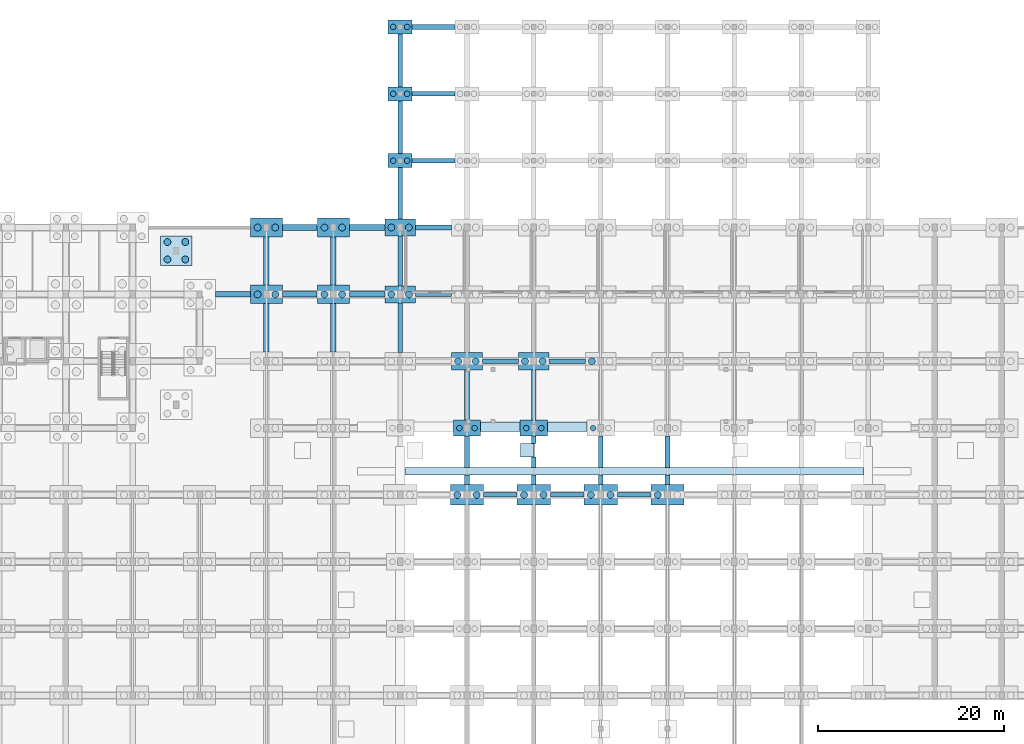
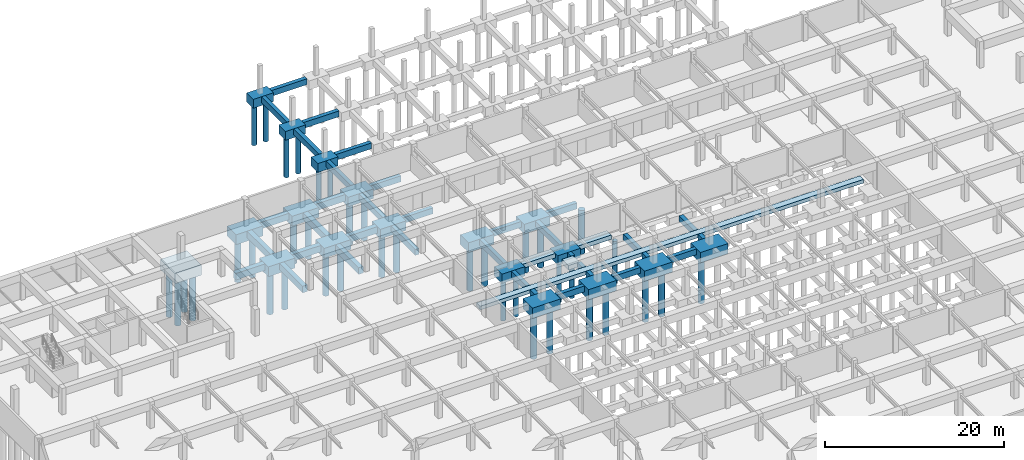
# One storey, part 9 of 36: 57 footings, 39 piles.
"""IFC4 building model written with IfcOpenShell, lengths in metres."""

from ifc_helpers import new_model, si_unit, direction, frame, origin, origin_2d, place, context, subcontext, project, spatial, rectangle, circle, extrude, material, material_profile, profile_set, type_object, element, save


model = new_model("IFC4")

# Units and contexts
model_context = context("Model", 3, precision=1e-05, world=origin(), true_north=direction((0.0, 1.0)))
body_context = subcontext(model_context, "Body", "Model", "MODEL_VIEW")
ifc_project = project(units=[si_unit("LENGTHUNIT", "METRE"), si_unit("AREAUNIT", "SQUARE_METRE"), si_unit("VOLUMEUNIT", "CUBIC_METRE"), si_unit("PLANEANGLEUNIT", "RADIAN"), si_unit("MASSUNIT", "GRAM", prefix="KILO")], contexts=[model_context])

# Site, building, storey
site_placement = place(None, origin())
site = spatial("IfcSite", under=ifc_project, at=site_placement, CompositionType="ELEMENT")
building_placement = place(site_placement, origin())
building = spatial("IfcBuilding", under=site, at=building_placement, Name="Ochrevale Crest", CompositionType="ELEMENT")
storey_placement = place(building_placement, frame((0.0, 0.0, -3.60009765625)))
storey = spatial("IfcBuildingStorey", under=building, at=storey_placement, Name="B1", CompositionType="ELEMENT", Elevation=-3.60009765625)

# Footings
ifc_material = material(Name="Concrete C40/50", Category="concrete")
footing_type_1 = type_object("IfcFootingType", Name="CAP-PC07", PredefinedType="PILE_CAP", material=ifc_material)
footing_1_placement = place(storey_placement, frame((33.5, 91.10009765625, -1.659912109375), z_axis=(0.0, 0.0, 1.0), x_axis=(1.0, 0.0, 0.0)))
element("IfcFooting", 1, at=footing_1_placement, inside=storey, type_object=footing_type_1, Name="Pile cap PC07-064", PredefinedType="PILE_CAP", context=body_context, shape_type="SweptSolid", body=[
    extrude(rectangle(XDim=3.39990234375, YDim=3.199951171875, at=origin_2d()), origin(), (0.0, 0.0, 1.0), 1.39990234375),
])
footing_type_2 = type_object("IfcFootingType", Name="CAP-PC11", PredefinedType="PILE_CAP", material=ifc_material)
for number, where, z_axis, x_axis, name in (
    (2, (64.800048828125, 64.800048828125, -1.659912109375), (0.0, 0.0, 1.0), (1.0, 0.0, 0.0), "Pile cap PC11-122"),
    (3, (72.0, 64.800048828125, -1.659912109375), (0.0, 0.0, 1.0), (1.0, 0.0, 0.0), "Pile cap PC11-138"),
    (4, (79.199951171875, 64.800048828125, -1.659912109375), (0.0, 0.0, 1.0), (1.0, 0.0, 0.0), "Pile cap PC11-155"),
    (5, (86.39990234375, 64.800048828125, -1.659912109375), (0.0, 0.0, 1.0), (1.0, 0.0, 0.0), "Pile cap PC11-172"),
):
    element("IfcFooting", number, at=place(storey_placement, frame(where, z_axis=z_axis, x_axis=x_axis)), inside=storey, type_object=footing_type_2, Name=name, PredefinedType="PILE_CAP", context=body_context, shape_type="SweptSolid", body=[
        extrude(rectangle(XDim=3.60009765625, YDim=2.199951171875, at=origin_2d()), origin(), (0.0, 0.0, 1.0), 1.39990234375),
    ])
footing_type_3 = type_object("IfcFootingType", Name="CAP-PC12", PredefinedType="PILE_CAP", material=ifc_material)
for number, where, z_axis, x_axis, name in (
    (6, (43.199951171875, 86.39990234375, -1.60986328125), (0.0, 0.0, 1.0), (1.0, 0.0, 0.0), "Pile cap PC12-083"),
    (7, (43.199951171875, 93.60009765625, -1.60986328125), (0.0, 0.0, 1.0), (1.0, 0.0, 0.0), "Pile cap PC12-084"),
    (8, (50.39990234375, 86.39990234375, -1.60986328125), (0.0, 0.0, 1.0), (1.0, 0.0, 0.0), "Pile cap PC12-096"),
    (9, (50.39990234375, 93.60009765625, -1.60986328125), (0.0, 0.0, 1.0), (1.0, 0.0, 0.0), "Pile cap PC12-097"),
):
    element("IfcFooting", number, at=place(storey_placement, frame(where, z_axis=z_axis, x_axis=x_axis)), inside=storey, type_object=footing_type_3, Name=name, PredefinedType="PILE_CAP", context=body_context, shape_type="SweptSolid", body=[
        extrude(rectangle(XDim=3.449951171875, YDim=2.0, at=origin_2d()), origin(), (0.0, 0.0, 1.0), 1.35009765625),
    ])
footing_type_4 = type_object("IfcFootingType", Name="CAP-PC13", PredefinedType="PILE_CAP", material=ifc_material)
for number, where, z_axis, x_axis, name in (
    (10, (57.60009765625, 86.39990234375, -1.56005859375), (0.0, 0.0, 1.0), (1.0, 0.0, 0.0), "Pile cap PC13-109"),
    (11, (57.60009765625, 93.60009765625, -1.56005859375), (0.0, 0.0, 1.0), (1.0, 0.0, 0.0), "Pile cap PC13-110"),
    (12, (64.800048828125, 79.199951171875, -1.56005859375), (0.0, 0.0, 1.0), (1.0, 0.0, 0.0), "Pile cap PC13-124"),
    (13, (72.0, 79.199951171875, -1.56005859375), (0.0, 0.0, 1.0), (1.0, 0.0, 0.0), "Pile cap PC13-140"),
):
    element("IfcFooting", number, at=place(storey_placement, frame(where, z_axis=z_axis, x_axis=x_axis)), inside=storey, type_object=footing_type_4, Name=name, PredefinedType="PILE_CAP", context=body_context, shape_type="SweptSolid", body=[
        extrude(rectangle(XDim=3.300048828125, YDim=1.85009765625, at=origin_2d()), origin(), (0.0, 0.0, 1.0), 1.300048828125),
    ])
footing_type_5 = type_object("IfcFootingType", Name="CAP-PC14", PredefinedType="PILE_CAP", material=ifc_material)
for number, where, z_axis, x_axis, name in (
    (14, (64.800048828125, 72.0, -1.510009765625), (0.0, 0.0, 1.0), (1.0, 0.0, 0.0), "Pile cap PC14-123"),
    (15, (72.0, 72.0, -1.510009765625), (0.0, 0.0, 1.0), (1.0, 0.0, 0.0), "Pile cap PC14-139"),
):
    element("IfcFooting", number, at=place(storey_placement, frame(where, z_axis=z_axis, x_axis=x_axis)), inside=storey, type_object=footing_type_5, Name=name, PredefinedType="PILE_CAP", context=body_context, shape_type="SweptSolid", body=[
        extrude(rectangle(XDim=2.949951171875, YDim=1.75, at=origin_2d()), origin(), (0.0, 0.0, 1.0), 1.25),
    ])
footing_type_6 = type_object("IfcFootingType", Name="CAP-PC15", PredefinedType="PILE_CAP", material=ifc_material)
for number, where, z_axis, x_axis, name in (
    (16, (57.60009765625, 100.800048828125, -1.4599609375), (0.0, 0.0, 1.0), (1.0, 0.0, 0.0), "Pile cap PC15-111"),
    (17, (57.60009765625, 108.0, -1.4599609375), (0.0, 0.0, 1.0), (1.0, 0.0, 0.0), "Pile cap PC15-112"),
    (18, (57.60009765625, 115.199951171875, -1.4599609375), (0.0, 0.0, 1.0), (1.0, 0.0, 0.0), "Pile cap PC15-113"),
):
    element("IfcFooting", number, at=place(storey_placement, frame(where, z_axis=z_axis, x_axis=x_axis)), inside=storey, type_object=footing_type_6, Name=name, PredefinedType="PILE_CAP", context=body_context, shape_type="SweptSolid", body=[
        extrude(rectangle(XDim=2.60009765625, YDim=1.5, at=origin_2d()), origin(), (0.0, 0.0, 1.0), 1.199951171875),
    ])
ifc_material_profile_1 = material_profile(ifc_material, rectangle(XDim=0.5, YDim=0.800048828125, at=origin_2d()), Name="GB 500x800")
ifc_profile_set_1 = profile_set([ifc_material_profile_1], Name="Concrete C40/50")
footing_type_7 = type_object("IfcFootingType", Name="FTG-GB500x800", PredefinedType="FOOTING_BEAM", material=ifc_profile_set_1)
footing_2_placement = place(storey_placement, frame((57.60009765625, 80.126953125, -0.659912109375), z_axis=(0.0, 1.0, 0.0), x_axis=(-1.0, 0.0, 0.0)))
element("IfcFooting", 19, at=footing_2_placement, inside=storey, type_object=footing_type_7, Name="Foundation tie beam GB2-184", PredefinedType="FOOTING_BEAM", context=body_context, shape_type="SweptSolid", body=[
    extrude(rectangle(XDim=0.5, YDim=0.800048828125, at=origin_2d()), origin(), (0.0, 0.0, 1.0), 5.345947265625),
])
footing_3_placement = place(storey_placement, frame((59.251953125, 86.39990234375, -0.659912109375), z_axis=(1.0, 0.0, 0.0), x_axis=(0.0, 1.0, 0.0)))
element("IfcFooting", 20, at=footing_3_placement, inside=storey, type_object=footing_type_7, Name="Foundation tie beam GB2-185", PredefinedType="FOOTING_BEAM", context=body_context, shape_type="SweptSolid", body=[
    extrude(rectangle(XDim=0.5, YDim=0.800048828125, at=origin_2d()), origin(), (0.0, 0.0, 1.0), 3.89599609375),
])
footing_4_placement = place(storey_placement, frame((57.60009765625, 87.326904296875, -0.659912109375), z_axis=(0.0, 1.0, 0.0), x_axis=(-1.0, 0.0, 0.0)))
element("IfcFooting", 21, at=footing_4_placement, inside=storey, type_object=footing_type_7, Name="Foundation tie beam GB2-186", PredefinedType="FOOTING_BEAM", context=body_context, shape_type="SweptSolid", body=[
    extrude(rectangle(XDim=0.5, YDim=0.800048828125, at=origin_2d()), origin(), (0.0, 0.0, 1.0), 5.34619140625),
])
footing_5_placement = place(storey_placement, frame((59.251953125, 93.60009765625, -0.659912109375), z_axis=(1.0, 0.0, 0.0), x_axis=(0.0, 1.0, 0.0)))
element("IfcFooting", 22, at=footing_5_placement, inside=storey, type_object=footing_type_7, Name="Foundation tie beam GB2-187", PredefinedType="FOOTING_BEAM", context=body_context, shape_type="SweptSolid", body=[
    extrude(rectangle(XDim=0.5, YDim=0.800048828125, at=origin_2d()), origin(), (0.0, 0.0, 1.0), 3.89599609375),
])
footing_6_placement = place(storey_placement, frame((57.60009765625, 94.527099609375, -0.659912109375), z_axis=(0.0, 1.0, 0.0), x_axis=(-1.0, 0.0, 0.0)))
element("IfcFooting", 23, at=footing_6_placement, inside=storey, type_object=footing_type_7, Name="Foundation tie beam GB2-188", PredefinedType="FOOTING_BEAM", context=body_context, shape_type="SweptSolid", body=[
    extrude(rectangle(XDim=0.5, YDim=0.800048828125, at=origin_2d()), origin(), (0.0, 0.0, 1.0), 5.52099609375),
])
footing_7_placement = place(storey_placement, frame((58.902099609375, 100.800048828125, -0.659912109375), z_axis=(1.0, 0.0, 0.0), x_axis=(0.0, 1.0, 0.0)))
element("IfcFooting", 24, at=footing_7_placement, inside=storey, type_object=footing_type_7, Name="Foundation tie beam GB2-189", PredefinedType="FOOTING_BEAM", context=body_context, shape_type="SweptSolid", body=[
    extrude(rectangle(XDim=0.5, YDim=0.800048828125, at=origin_2d()), origin(), (0.0, 0.0, 1.0), 4.595947265625),
])
footing_8_placement = place(storey_placement, frame((57.60009765625, 101.552001953125, -0.659912109375), z_axis=(0.0, 1.0, 0.0), x_axis=(-1.0, 0.0, 0.0)))
element("IfcFooting", 25, at=footing_8_placement, inside=storey, type_object=footing_type_7, Name="Foundation tie beam GB2-190", PredefinedType="FOOTING_BEAM", context=body_context, shape_type="SweptSolid", body=[
    extrude(rectangle(XDim=0.5, YDim=0.800048828125, at=origin_2d()), origin(), (0.0, 0.0, 1.0), 5.696044921875),
])
footing_9_placement = place(storey_placement, frame((58.902099609375, 108.0, -0.659912109375), z_axis=(1.0, 0.0, 0.0), x_axis=(0.0, 1.0, 0.0)))
element("IfcFooting", 26, at=footing_9_placement, inside=storey, type_object=footing_type_7, Name="Foundation tie beam GB2-191", PredefinedType="FOOTING_BEAM", context=body_context, shape_type="SweptSolid", body=[
    extrude(rectangle(XDim=0.5, YDim=0.800048828125, at=origin_2d()), origin(), (0.0, 0.0, 1.0), 4.595947265625),
])
footing_10_placement = place(storey_placement, frame((57.60009765625, 108.751953125, -0.659912109375), z_axis=(0.0, 1.0, 0.0), x_axis=(-1.0, 0.0, 0.0)))
element("IfcFooting", 27, at=footing_10_placement, inside=storey, type_object=footing_type_7, Name="Foundation tie beam GB2-192", PredefinedType="FOOTING_BEAM", context=body_context, shape_type="SweptSolid", body=[
    extrude(rectangle(XDim=0.5, YDim=0.800048828125, at=origin_2d()), origin(), (0.0, 0.0, 1.0), 5.696044921875),
])
footing_11_placement = place(storey_placement, frame((58.902099609375, 115.199951171875, -0.659912109375), z_axis=(1.0, 0.0, 0.0), x_axis=(0.0, 1.0, 0.0)))
element("IfcFooting", 28, at=footing_11_placement, inside=storey, type_object=footing_type_7, Name="Foundation tie beam GB2-193", PredefinedType="FOOTING_BEAM", context=body_context, shape_type="SweptSolid", body=[
    extrude(rectangle(XDim=0.5, YDim=0.800048828125, at=origin_2d()), origin(), (0.0, 0.0, 1.0), 4.595947265625),
])
footing_12_placement = place(storey_placement, frame((66.60205078125, 64.800048828125, -0.659912109375), z_axis=(1.0, 0.0, 0.0), x_axis=(0.0, 1.0, 0.0)))
element("IfcFooting", 29, at=footing_12_placement, inside=storey, type_object=footing_type_7, Name="Foundation tie beam GB2-210", PredefinedType="FOOTING_BEAM", context=body_context, shape_type="SweptSolid", body=[
    extrude(rectangle(XDim=0.5, YDim=0.800048828125, at=origin_2d()), origin(), (0.0, 0.0, 1.0), 3.595947265625),
])
footing_13_placement = place(storey_placement, frame((64.800048828125, 65.902099609375, -0.659912109375), z_axis=(0.0, 1.0, 0.0), x_axis=(-1.0, 0.0, 0.0)))
element("IfcFooting", 30, at=footing_13_placement, inside=storey, type_object=footing_type_7, Name="Foundation tie beam GB2-211 segment 1", PredefinedType="FOOTING_BEAM", context=body_context, shape_type="SweptSolid", body=[
    extrude(rectangle(XDim=0.5, YDim=0.800048828125, at=origin_2d()), origin(), (0.0, 0.0, 1.0), 1.0458984375),
])
footing_14_placement = place(storey_placement, frame((64.800048828125, 67.751953125, -0.659912109375), z_axis=(0.0, 1.0, 0.0), x_axis=(-1.0, 0.0, 0.0)))
element("IfcFooting", 31, at=footing_14_placement, inside=storey, type_object=footing_type_7, Name="Foundation tie beam GB2-211 segment 2", PredefinedType="FOOTING_BEAM", context=body_context, shape_type="SweptSolid", body=[
    extrude(rectangle(XDim=0.5, YDim=0.800048828125, at=origin_2d()), origin(), (0.0, 0.0, 1.0), 3.37109375),
])
footing_15_placement = place(storey_placement, frame((64.800048828125, 72.876953125, -0.659912109375), z_axis=(0.0, 1.0, 0.0), x_axis=(-1.0, 0.0, 0.0)))
element("IfcFooting", 32, at=footing_15_placement, inside=storey, type_object=footing_type_7, Name="Foundation tie beam GB2-213", PredefinedType="FOOTING_BEAM", context=body_context, shape_type="SweptSolid", body=[
    extrude(rectangle(XDim=0.5, YDim=0.800048828125, at=origin_2d()), origin(), (0.0, 0.0, 1.0), 5.39599609375),
])
footing_16_placement = place(storey_placement, frame((66.451904296875, 79.199951171875, -0.659912109375), z_axis=(1.0, 0.0, 0.0), x_axis=(0.0, 1.0, 0.0)))
element("IfcFooting", 33, at=footing_16_placement, inside=storey, type_object=footing_type_7, Name="Foundation tie beam GB2-214", PredefinedType="FOOTING_BEAM", context=body_context, shape_type="SweptSolid", body=[
    extrude(rectangle(XDim=0.5, YDim=0.800048828125, at=origin_2d()), origin(), (0.0, 0.0, 1.0), 3.89599609375),
])
footing_17_placement = place(storey_placement, frame((73.802001953125, 64.800048828125, -0.659912109375), z_axis=(1.0, 0.0, 0.0), x_axis=(0.0, 1.0, 0.0)))
element("IfcFooting", 34, at=footing_17_placement, inside=storey, type_object=footing_type_7, Name="Foundation tie beam GB2-241", PredefinedType="FOOTING_BEAM", context=body_context, shape_type="SweptSolid", body=[
    extrude(rectangle(XDim=0.5, YDim=0.800048828125, at=origin_2d()), origin(), (0.0, 0.0, 1.0), 3.595947265625),
])
footing_18_placement = place(storey_placement, frame((72.0, 65.902099609375, -0.659912109375), z_axis=(0.0, 1.0, 0.0), x_axis=(-1.0, 0.0, 0.0)))
element("IfcFooting", 35, at=footing_18_placement, inside=storey, type_object=footing_type_7, Name="Foundation tie beam GB2-242 segment 1", PredefinedType="FOOTING_BEAM", context=body_context, shape_type="SweptSolid", body=[
    extrude(rectangle(XDim=0.5, YDim=0.800048828125, at=origin_2d()), origin(), (0.0, 0.0, 1.0), 1.0458984375),
])
footing_19_placement = place(storey_placement, frame((72.0, 67.751953125, -0.659912109375), z_axis=(0.0, 1.0, 0.0), x_axis=(-1.0, 0.0, 0.0)))
element("IfcFooting", 36, at=footing_19_placement, inside=storey, type_object=footing_type_7, Name="Foundation tie beam GB2-242 segment 2", PredefinedType="FOOTING_BEAM", context=body_context, shape_type="SweptSolid", body=[
    extrude(rectangle(XDim=0.5, YDim=0.800048828125, at=origin_2d()), origin(), (0.0, 0.0, 1.0), 1.12109375),
])
footing_20_placement = place(storey_placement, frame((72.0, 70.326904296875, -0.659912109375), z_axis=(0.0, 1.0, 0.0), x_axis=(-1.0, 0.0, 0.0)))
element("IfcFooting", 37, at=footing_20_placement, inside=storey, type_object=footing_type_7, Name="Foundation tie beam GB2-242 segment 3", PredefinedType="FOOTING_BEAM", context=body_context, shape_type="SweptSolid", body=[
    extrude(rectangle(XDim=0.5, YDim=0.800048828125, at=origin_2d()), origin(), (0.0, 0.0, 1.0), 0.796142578125),
])
footing_21_placement = place(storey_placement, frame((72.0, 72.876953125, -0.659912109375), z_axis=(0.0, 1.0, 0.0), x_axis=(-1.0, 0.0, 0.0)))
element("IfcFooting", 38, at=footing_21_placement, inside=storey, type_object=footing_type_7, Name="Foundation tie beam GB2-244", PredefinedType="FOOTING_BEAM", context=body_context, shape_type="SweptSolid", body=[
    extrude(rectangle(XDim=0.5, YDim=0.800048828125, at=origin_2d()), origin(), (0.0, 0.0, 1.0), 5.39599609375),
])
footing_22_placement = place(storey_placement, frame((73.652099609375, 79.199951171875, -0.659912109375), z_axis=(1.0, 0.0, 0.0), x_axis=(0.0, 1.0, 0.0)))
element("IfcFooting", 39, at=footing_22_placement, inside=storey, type_object=footing_type_7, Name="Foundation tie beam GB2-245", PredefinedType="FOOTING_BEAM", context=body_context, shape_type="SweptSolid", body=[
    extrude(rectangle(XDim=0.5, YDim=0.800048828125, at=origin_2d()), origin(), (0.0, 0.0, 1.0), 3.89599609375),
])
footing_23_placement = place(storey_placement, frame((81.001953125, 64.800048828125, -0.659912109375), z_axis=(1.0, 0.0, 0.0), x_axis=(0.0, 1.0, 0.0)))
element("IfcFooting", 40, at=footing_23_placement, inside=storey, type_object=footing_type_7, Name="Foundation tie beam GB2-274", PredefinedType="FOOTING_BEAM", context=body_context, shape_type="SweptSolid", body=[
    extrude(rectangle(XDim=0.5, YDim=0.800048828125, at=origin_2d()), origin(), (0.0, 0.0, 1.0), 3.595947265625),
])
footing_24_placement = place(storey_placement, frame((79.199951171875, 65.902099609375, -0.659912109375), z_axis=(0.0, 1.0, 0.0), x_axis=(-1.0, 0.0, 0.0)))
element("IfcFooting", 41, at=footing_24_placement, inside=storey, type_object=footing_type_7, Name="Foundation tie beam GB2-275 segment 1", PredefinedType="FOOTING_BEAM", context=body_context, shape_type="SweptSolid", body=[
    extrude(rectangle(XDim=0.5, YDim=0.800048828125, at=origin_2d()), origin(), (0.0, 0.0, 1.0), 1.0458984375),
])
footing_25_placement = place(storey_placement, frame((79.199951171875, 67.751953125, -0.659912109375), z_axis=(0.0, 1.0, 0.0), x_axis=(-1.0, 0.0, 0.0)))
element("IfcFooting", 42, at=footing_25_placement, inside=storey, type_object=footing_type_7, Name="Foundation tie beam GB2-275 segment 2", PredefinedType="FOOTING_BEAM", context=body_context, shape_type="SweptSolid", body=[
    extrude(rectangle(XDim=0.5, YDim=0.800048828125, at=origin_2d()), origin(), (0.0, 0.0, 1.0), 3.37109375),
])
footing_26_placement = place(storey_placement, frame((86.39990234375, 65.902099609375, -0.659912109375), z_axis=(0.0, 1.0, 0.0), x_axis=(-1.0, 0.0, 0.0)))
element("IfcFooting", 43, at=footing_26_placement, inside=storey, type_object=footing_type_7, Name="Foundation tie beam GB2-307 segment 1", PredefinedType="FOOTING_BEAM", context=body_context, shape_type="SweptSolid", body=[
    extrude(rectangle(XDim=0.5, YDim=0.800048828125, at=origin_2d()), origin(), (0.0, 0.0, 1.0), 1.0458984375),
])
footing_27_placement = place(storey_placement, frame((86.39990234375, 67.751953125, -0.659912109375), z_axis=(0.0, 1.0, 0.0), x_axis=(-1.0, 0.0, 0.0)))
element("IfcFooting", 44, at=footing_27_placement, inside=storey, type_object=footing_type_7, Name="Foundation tie beam GB2-307 segment 2", PredefinedType="FOOTING_BEAM", context=body_context, shape_type="SweptSolid", body=[
    extrude(rectangle(XDim=0.5, YDim=0.800048828125, at=origin_2d()), origin(), (0.0, 0.0, 1.0), 3.37109375),
])
ifc_material_profile_2 = material_profile(ifc_material, rectangle(XDim=0.60009765625, YDim=0.89990234375, at=origin_2d()), Name="GB 600x900")
ifc_profile_set_2 = profile_set([ifc_material_profile_2], Name="Concrete C40/50")
footing_type_8 = type_object("IfcFootingType", Name="FTG-GB600x900", PredefinedType="FOOTING_BEAM", material=ifc_profile_set_2)
footing_28_placement = place(storey_placement, frame((37.701904296875, 86.39990234375, -0.7099609375), z_axis=(1.0, 0.0, 0.0), x_axis=(0.0, 1.0, 0.0)))
element("IfcFooting", 45, at=footing_28_placement, inside=storey, type_object=footing_type_8, Name="Foundation tie beam GB1-114", PredefinedType="FOOTING_BEAM", context=body_context, shape_type="SweptSolid", body=[
    extrude(rectangle(XDim=0.60009765625, YDim=0.89990234375, at=origin_2d()), origin(), (0.0, 0.0, 1.0), 3.77099609375),
])
footing_29_placement = place(storey_placement, frame((43.199951171875, 80.201904296875, -0.7099609375), z_axis=(0.0, 1.0, 0.0), x_axis=(-1.0, 0.0, 0.0)))
element("IfcFooting", 46, at=footing_29_placement, inside=storey, type_object=footing_type_8, Name="Foundation tie beam GB1-134", PredefinedType="FOOTING_BEAM", context=body_context, shape_type="SweptSolid", body=[
    extrude(rectangle(XDim=0.60009765625, YDim=0.89990234375, at=origin_2d()), origin(), (0.0, 0.0, 1.0), 5.196044921875),
])
footing_30_placement = place(storey_placement, frame((44.927001953125, 86.39990234375, -0.7099609375), z_axis=(1.0, 0.0, 0.0), x_axis=(0.0, 1.0, 0.0)))
element("IfcFooting", 47, at=footing_30_placement, inside=storey, type_object=footing_type_8, Name="Foundation tie beam GB1-135", PredefinedType="FOOTING_BEAM", context=body_context, shape_type="SweptSolid", body=[
    extrude(rectangle(XDim=0.60009765625, YDim=0.89990234375, at=origin_2d()), origin(), (0.0, 0.0, 1.0), 3.74609375),
])
footing_31_placement = place(storey_placement, frame((43.199951171875, 87.402099609375, -0.7099609375), z_axis=(0.0, 1.0, 0.0), x_axis=(-1.0, 0.0, 0.0)))
element("IfcFooting", 48, at=footing_31_placement, inside=storey, type_object=footing_type_8, Name="Foundation tie beam GB1-136", PredefinedType="FOOTING_BEAM", context=body_context, shape_type="SweptSolid", body=[
    extrude(rectangle(XDim=0.60009765625, YDim=0.89990234375, at=origin_2d()), origin(), (0.0, 0.0, 1.0), 5.19580078125),
])
footing_32_placement = place(storey_placement, frame((44.927001953125, 93.60009765625, -0.7099609375), z_axis=(1.0, 0.0, 0.0), x_axis=(0.0, 1.0, 0.0)))
element("IfcFooting", 49, at=footing_32_placement, inside=storey, type_object=footing_type_8, Name="Foundation tie beam GB1-137", PredefinedType="FOOTING_BEAM", context=body_context, shape_type="SweptSolid", body=[
    extrude(rectangle(XDim=0.60009765625, YDim=0.89990234375, at=origin_2d()), origin(), (0.0, 0.0, 1.0), 3.74609375),
])
footing_33_placement = place(storey_placement, frame((50.39990234375, 80.201904296875, -0.7099609375), z_axis=(0.0, 1.0, 0.0), x_axis=(-1.0, 0.0, 0.0)))
element("IfcFooting", 50, at=footing_33_placement, inside=storey, type_object=footing_type_8, Name="Foundation tie beam GB1-159", PredefinedType="FOOTING_BEAM", context=body_context, shape_type="SweptSolid", body=[
    extrude(rectangle(XDim=0.60009765625, YDim=0.89990234375, at=origin_2d()), origin(), (0.0, 0.0, 1.0), 5.196044921875),
])
footing_34_placement = place(storey_placement, frame((52.126953125, 86.39990234375, -0.7099609375), z_axis=(1.0, 0.0, 0.0), x_axis=(0.0, 1.0, 0.0)))
element("IfcFooting", 51, at=footing_34_placement, inside=storey, type_object=footing_type_8, Name="Foundation tie beam GB1-160", PredefinedType="FOOTING_BEAM", context=body_context, shape_type="SweptSolid", body=[
    extrude(rectangle(XDim=0.60009765625, YDim=0.89990234375, at=origin_2d()), origin(), (0.0, 0.0, 1.0), 3.821044921875),
])
footing_35_placement = place(storey_placement, frame((50.39990234375, 87.402099609375, -0.7099609375), z_axis=(0.0, 1.0, 0.0), x_axis=(-1.0, 0.0, 0.0)))
element("IfcFooting", 52, at=footing_35_placement, inside=storey, type_object=footing_type_8, Name="Foundation tie beam GB1-161", PredefinedType="FOOTING_BEAM", context=body_context, shape_type="SweptSolid", body=[
    extrude(rectangle(XDim=0.60009765625, YDim=0.89990234375, at=origin_2d()), origin(), (0.0, 0.0, 1.0), 5.19580078125),
])
footing_36_placement = place(storey_placement, frame((52.126953125, 93.60009765625, -0.7099609375), z_axis=(1.0, 0.0, 0.0), x_axis=(0.0, 1.0, 0.0)))
element("IfcFooting", 53, at=footing_36_placement, inside=storey, type_object=footing_type_8, Name="Foundation tie beam GB1-162", PredefinedType="FOOTING_BEAM", context=body_context, shape_type="SweptSolid", body=[
    extrude(rectangle(XDim=0.60009765625, YDim=0.89990234375, at=origin_2d()), origin(), (0.0, 0.0, 1.0), 3.821044921875),
])
footing_type_9 = type_object("IfcFootingType", Name="FTG-PAD04", PredefinedType="PAD_FOOTING", material=ifc_material)
footing_37_placement = place(storey_placement, frame((71.300048828125, 69.60009765625, -0.85986328125), z_axis=(0.0, 0.0, 1.0), x_axis=(1.0, 0.0, 0.0)))
element("IfcFooting", 54, at=footing_37_placement, inside=storey, type_object=footing_type_9, Name="Pad footing PF04 (71.3,69.6)", PredefinedType="PAD_FOOTING", context=body_context, shape_type="SweptSolid", body=[
    extrude(rectangle(XDim=1.449951171875, YDim=1.449951171875, at=origin_2d()), origin(), (0.0, 0.0, 1.0), 0.60009765625),
])
ifc_material_profile_3 = material_profile(ifc_material, rectangle(XDim=1.0, YDim=0.60009765625, at=origin_2d()), Name="SF 1000x600")
ifc_profile_set_3 = profile_set([ifc_material_profile_3], Name="Concrete C40/50")
footing_type_10 = type_object("IfcFootingType", Name="FTG-SF1000x600", PredefinedType="STRIP_FOOTING", material=ifc_profile_set_3)
for number, where, z_axis, x_axis, name in (
    (55, (66.277099609375, 72.14990234375, -0.559814453125), (1.0, 0.0, 0.0), (0.0, 1.0, 0.0), "Hillside Step 3 grounded strip footing segment 3"),
    (56, (73.47705078125, 72.14990234375, -0.559814453125), (1.0, 0.0, 0.0), (0.0, 1.0, 0.0), "Hillside Step 3 grounded strip footing segment 4"),
):
    element("IfcFooting", number, at=place(storey_placement, frame(where, z_axis=z_axis, x_axis=x_axis)), inside=storey, type_object=footing_type_10, Name=name, PredefinedType="STRIP_FOOTING", context=body_context, shape_type="SweptSolid", body=[
        extrude(rectangle(XDim=1.0, YDim=0.60009765625, at=origin_2d()), origin(), (0.0, 0.0, 1.0), 4.245849609375),
    ])
ifc_material_profile_4 = material_profile(ifc_material, rectangle(XDim=0.800048828125, YDim=0.5, at=origin_2d()), Name="SF 800x500")
ifc_profile_set_4 = profile_set([ifc_material_profile_4], Name="Concrete C40/50")
footing_type_11 = type_object("IfcFootingType", Name="FTG-SF800x500", PredefinedType="STRIP_FOOTING", material=ifc_profile_set_4)
footing_38_placement = place(storey_placement, frame((58.10205078125, 67.35009765625, -0.510009765625), z_axis=(1.0, 0.0, 0.0), x_axis=(0.0, 1.0, 0.0)))
element("IfcFooting", 57, at=footing_38_placement, inside=storey, type_object=footing_type_11, Name="Hillside Step 2 grounded strip footing segment 2", PredefinedType="STRIP_FOOTING", context=body_context, shape_type="SweptSolid", body=[
    extrude(rectangle(XDim=0.800048828125, YDim=0.5, at=origin_2d()), origin(), (0.0, 0.0, 1.0), 49.39599609375),
])

# Piles
ifc_material_profile_5 = material_profile(ifc_material, circle(Radius=0.300048828125, at=origin_2d()), Name="BORED PILE 600")
ifc_profile_set_5 = profile_set([ifc_material_profile_5], Name="Concrete C40/50")
pile_type_1 = type_object("IfcPileType", Name="PILE-BP600", PredefinedType="BORED", material=ifc_profile_set_5)
for number, where, z_axis, x_axis, name in (
    (58, (56.85009765625, 100.800048828125, -1.35986328125), (0.0, 0.0, -1.0), (1.0, 0.0, 0.0), "Bored pile P1-111-1"),
    (59, (58.35009765625, 100.800048828125, -1.35986328125), (0.0, 0.0, -1.0), (1.0, 0.0, 0.0), "Bored pile P1-111-2"),
    (60, (56.85009765625, 108.0, -1.35986328125), (0.0, 0.0, -1.0), (1.0, 0.0, 0.0), "Bored pile P1-112-1"),
    (61, (58.35009765625, 108.0, -1.35986328125), (0.0, 0.0, -1.0), (1.0, 0.0, 0.0), "Bored pile P1-112-2"),
    (62, (56.85009765625, 115.199951171875, -1.35986328125), (0.0, 0.0, -1.0), (1.0, 0.0, 0.0), "Bored pile P1-113-1"),
    (63, (58.35009765625, 115.199951171875, -1.35986328125), (0.0, 0.0, -1.0), (1.0, 0.0, 0.0), "Bored pile P1-113-2"),
):
    element("IfcPile", number, at=place(storey_placement, frame(where, z_axis=z_axis, x_axis=x_axis)), inside=storey, type_object=pile_type_1, Name=name, PredefinedType="BORED", context=body_context, shape_type="SweptSolid", body=[
        extrude(circle(Radius=0.300048828125, at=origin_2d()), origin(), (0.0, 0.0, 1.0), 5.639892578125),
    ])
for number, where, z_axis, x_axis, name in (
    (64, (63.97998046875, 72.0, -1.409912109375), (0.0, 0.0, -1.0), (1.0, 0.0, 0.0), "Bored pile P1-123-1"),
    (65, (65.6201171875, 72.0, -1.409912109375), (0.0, 0.0, -1.0), (1.0, 0.0, 0.0), "Bored pile P1-123-2"),
    (66, (71.179931640625, 72.0, -1.409912109375), (0.0, 0.0, -1.0), (1.0, 0.0, 0.0), "Bored pile P1-139-1"),
    (67, (72.820068359375, 72.0, -1.409912109375), (0.0, 0.0, -1.0), (1.0, 0.0, 0.0), "Bored pile P1-139-2"),
    (68, (78.3798828125, 72.0, -1.409912109375), (0.0, 0.0, -1.0), (1.0, 0.0, 0.0), "Bored pile P1-156-1"),
):
    element("IfcPile", number, at=place(storey_placement, frame(where, z_axis=z_axis, x_axis=x_axis)), inside=storey, type_object=pile_type_1, Name=name, PredefinedType="BORED", context=body_context, shape_type="SweptSolid", body=[
        extrude(circle(Radius=0.300048828125, at=origin_2d()), origin(), (0.0, 0.0, 1.0), 5.7900390625),
    ])
ifc_material_profile_6 = material_profile(ifc_material, circle(Radius=0.375, at=origin_2d()), Name="BORED PILE 750")
ifc_profile_set_6 = profile_set([ifc_material_profile_6], Name="Concrete C40/50")
pile_type_2 = type_object("IfcPileType", Name="PILE-BP750", PredefinedType="BORED", material=ifc_profile_set_6)
for number, where, z_axis, x_axis, name in (
    (69, (32.5400390625, 90.159912109375, -1.559814453125), (0.0, 0.0, -1.0), (1.0, 0.0, 0.0), "Bored pile P2-064-1"),
    (70, (34.4599609375, 90.159912109375, -1.559814453125), (0.0, 0.0, -1.0), (1.0, 0.0, 0.0), "Bored pile P2-064-2"),
    (71, (32.5400390625, 92.0400390625, -1.559814453125), (0.0, 0.0, -1.0), (1.0, 0.0, 0.0), "Bored pile P2-064-3"),
    (72, (34.4599609375, 92.0400390625, -1.559814453125), (0.0, 0.0, -1.0), (1.0, 0.0, 0.0), "Bored pile P2-064-4"),
):
    element("IfcPile", number, at=place(storey_placement, frame(where, z_axis=z_axis, x_axis=x_axis)), inside=storey, type_object=pile_type_2, Name=name, PredefinedType="BORED", context=body_context, shape_type="SweptSolid", body=[
        extrude(circle(Radius=0.375, at=origin_2d()), origin(), (0.0, 0.0, 1.0), 6.239990234375),
    ])
for number, where, z_axis, x_axis, name in (
    (73, (42.25, 86.39990234375, -1.510009765625), (0.0, 0.0, -1.0), (1.0, 0.0, 0.0), "Bored pile P2-083-1"),
    (74, (44.14990234375, 86.39990234375, -1.510009765625), (0.0, 0.0, -1.0), (1.0, 0.0, 0.0), "Bored pile P2-083-2"),
    (75, (42.25, 93.60009765625, -1.510009765625), (0.0, 0.0, -1.0), (1.0, 0.0, 0.0), "Bored pile P2-084-1"),
    (76, (44.14990234375, 93.60009765625, -1.510009765625), (0.0, 0.0, -1.0), (1.0, 0.0, 0.0), "Bored pile P2-084-2"),
    (77, (49.449951171875, 86.39990234375, -1.510009765625), (0.0, 0.0, -1.0), (1.0, 0.0, 0.0), "Bored pile P2-096-1"),
    (78, (51.35009765625, 86.39990234375, -1.510009765625), (0.0, 0.0, -1.0), (1.0, 0.0, 0.0), "Bored pile P2-096-2"),
    (79, (49.449951171875, 93.60009765625, -1.510009765625), (0.0, 0.0, -1.0), (1.0, 0.0, 0.0), "Bored pile P2-097-1"),
    (80, (51.35009765625, 93.60009765625, -1.510009765625), (0.0, 0.0, -1.0), (1.0, 0.0, 0.0), "Bored pile P2-097-2"),
):
    element("IfcPile", number, at=place(storey_placement, frame(where, z_axis=z_axis, x_axis=x_axis)), inside=storey, type_object=pile_type_2, Name=name, PredefinedType="BORED", context=body_context, shape_type="SweptSolid", body=[
        extrude(circle(Radius=0.375, at=origin_2d()), origin(), (0.0, 0.0, 1.0), 5.889892578125),
    ])
for number, where, z_axis, x_axis, name in (
    (81, (56.64990234375, 86.39990234375, -1.4599609375), (0.0, 0.0, -1.0), (1.0, 0.0, 0.0), "Bored pile P2-109-1"),
    (82, (58.550048828125, 86.39990234375, -1.4599609375), (0.0, 0.0, -1.0), (1.0, 0.0, 0.0), "Bored pile P2-109-2"),
    (83, (56.64990234375, 93.60009765625, -1.4599609375), (0.0, 0.0, -1.0), (1.0, 0.0, 0.0), "Bored pile P2-110-1"),
    (84, (58.550048828125, 93.60009765625, -1.4599609375), (0.0, 0.0, -1.0), (1.0, 0.0, 0.0), "Bored pile P2-110-2"),
):
    element("IfcPile", number, at=place(storey_placement, frame(where, z_axis=z_axis, x_axis=x_axis)), inside=storey, type_object=pile_type_2, Name=name, PredefinedType="BORED", context=body_context, shape_type="SweptSolid", body=[
        extrude(circle(Radius=0.375, at=origin_2d()), origin(), (0.0, 0.0, 1.0), 5.93994140625),
    ])
for number, where, z_axis, x_axis, name in (
    (85, (63.75, 64.800048828125, -1.559814453125), (0.0, 0.0, -1.0), (1.0, 0.0, 0.0), "Bored pile P2-122-1"),
    (86, (65.85009765625, 64.800048828125, -1.559814453125), (0.0, 0.0, -1.0), (1.0, 0.0, 0.0), "Bored pile P2-122-2"),
):
    element("IfcPile", number, at=place(storey_placement, frame(where, z_axis=z_axis, x_axis=x_axis)), inside=storey, type_object=pile_type_2, Name=name, PredefinedType="BORED", context=body_context, shape_type="SweptSolid", body=[
        extrude(circle(Radius=0.375, at=origin_2d()), origin(), (0.0, 0.0, 1.0), 6.340087890625),
    ])
for number, where, z_axis, x_axis, name in (
    (87, (63.85009765625, 79.199951171875, -1.4599609375), (0.0, 0.0, -1.0), (1.0, 0.0, 0.0), "Bored pile P2-124-1"),
    (88, (65.75, 79.199951171875, -1.4599609375), (0.0, 0.0, -1.0), (1.0, 0.0, 0.0), "Bored pile P2-124-2"),
):
    element("IfcPile", number, at=place(storey_placement, frame(where, z_axis=z_axis, x_axis=x_axis)), inside=storey, type_object=pile_type_2, Name=name, PredefinedType="BORED", context=body_context, shape_type="SweptSolid", body=[
        extrude(circle(Radius=0.375, at=origin_2d()), origin(), (0.0, 0.0, 1.0), 5.93994140625),
    ])
for number, where, z_axis, x_axis, name in (
    (89, (70.949951171875, 64.800048828125, -1.559814453125), (0.0, 0.0, -1.0), (1.0, 0.0, 0.0), "Bored pile P2-138-1"),
    (90, (73.050048828125, 64.800048828125, -1.559814453125), (0.0, 0.0, -1.0), (1.0, 0.0, 0.0), "Bored pile P2-138-2"),
):
    element("IfcPile", number, at=place(storey_placement, frame(where, z_axis=z_axis, x_axis=x_axis)), inside=storey, type_object=pile_type_2, Name=name, PredefinedType="BORED", context=body_context, shape_type="SweptSolid", body=[
        extrude(circle(Radius=0.375, at=origin_2d()), origin(), (0.0, 0.0, 1.0), 6.340087890625),
    ])
for number, where, z_axis, x_axis, name in (
    (91, (71.050048828125, 79.199951171875, -1.4599609375), (0.0, 0.0, -1.0), (1.0, 0.0, 0.0), "Bored pile P2-140-1"),
    (92, (72.949951171875, 79.199951171875, -1.4599609375), (0.0, 0.0, -1.0), (1.0, 0.0, 0.0), "Bored pile P2-140-2"),
):
    element("IfcPile", number, at=place(storey_placement, frame(where, z_axis=z_axis, x_axis=x_axis)), inside=storey, type_object=pile_type_2, Name=name, PredefinedType="BORED", context=body_context, shape_type="SweptSolid", body=[
        extrude(circle(Radius=0.375, at=origin_2d()), origin(), (0.0, 0.0, 1.0), 5.93994140625),
    ])
for number, where, z_axis, x_axis, name in (
    (93, (78.14990234375, 64.800048828125, -1.559814453125), (0.0, 0.0, -1.0), (1.0, 0.0, 0.0), "Bored pile P2-155-1"),
    (94, (80.25, 64.800048828125, -1.559814453125), (0.0, 0.0, -1.0), (1.0, 0.0, 0.0), "Bored pile P2-155-2"),
):
    element("IfcPile", number, at=place(storey_placement, frame(where, z_axis=z_axis, x_axis=x_axis)), inside=storey, type_object=pile_type_2, Name=name, PredefinedType="BORED", context=body_context, shape_type="SweptSolid", body=[
        extrude(circle(Radius=0.375, at=origin_2d()), origin(), (0.0, 0.0, 1.0), 6.340087890625),
    ])
pile_1_placement = place(storey_placement, frame((78.25, 79.199951171875, -1.4599609375), z_axis=(0.0, 0.0, -1.0), x_axis=(1.0, 0.0, 0.0)))
element("IfcPile", 95, at=pile_1_placement, inside=storey, type_object=pile_type_2, Name="Bored pile P2-157-1", PredefinedType="BORED", context=body_context, shape_type="SweptSolid", body=[
    extrude(circle(Radius=0.375, at=origin_2d()), origin(), (0.0, 0.0, 1.0), 5.93994140625),
])
pile_2_placement = place(storey_placement, frame((85.35009765625, 64.800048828125, -1.559814453125), z_axis=(0.0, 0.0, -1.0), x_axis=(1.0, 0.0, 0.0)))
element("IfcPile", 96, at=pile_2_placement, inside=storey, type_object=pile_type_2, Name="Bored pile P2-172-1", PredefinedType="BORED", context=body_context, shape_type="SweptSolid", body=[
    extrude(circle(Radius=0.375, at=origin_2d()), origin(), (0.0, 0.0, 1.0), 6.340087890625),
])

save(model, "model.ifc")
